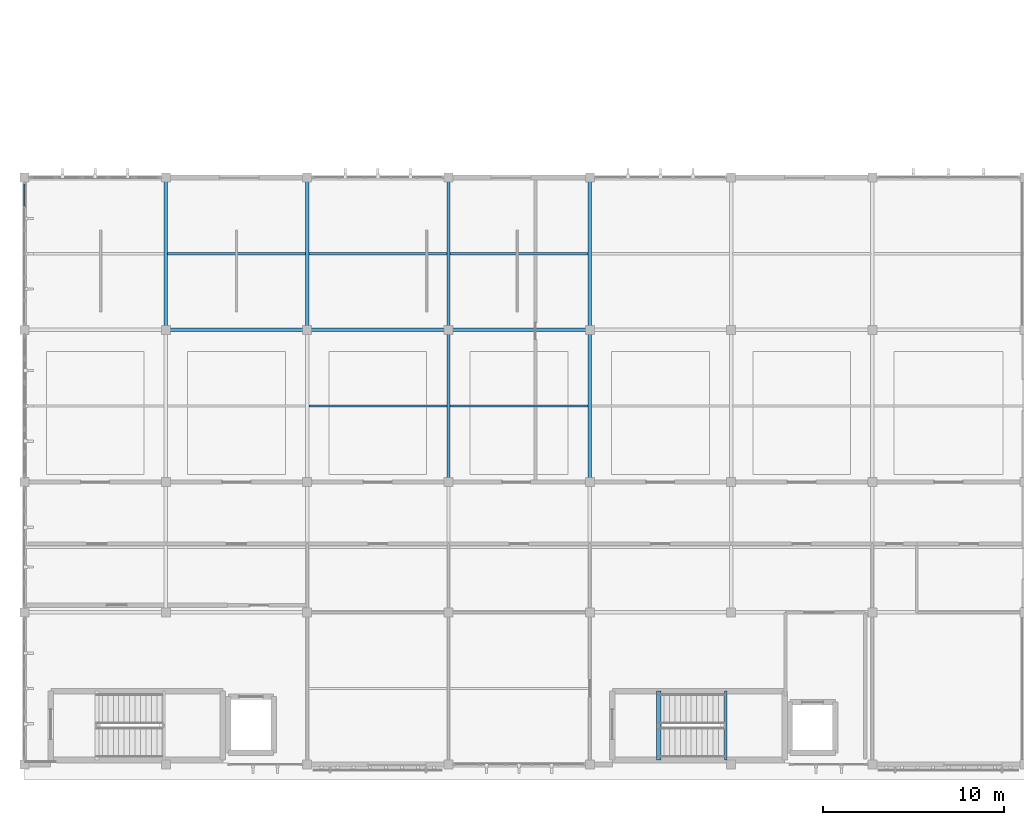
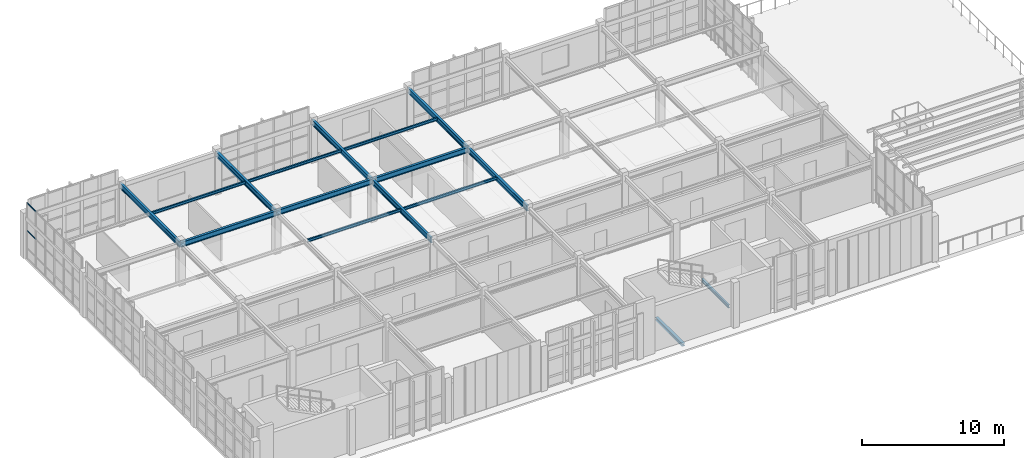
# One storey, part 4 of 20: 16 beams, 2 members, 1 element without a shape of its own.
"""IFC4 building model written with IfcOpenShell, lengths in metres."""

from ifc_helpers import new_model, si_unit, direction, frame, origin, origin_2d, place, context, subcontext, project, spatial, rectangle, i_section, extrude, material, material_profile, profile_set, type_object, element, aggregate, save


model = new_model("IFC4")

# Units and contexts
model_context = context("Model", 3, precision=1e-05, world=origin(), true_north=direction((0.0, 1.0)))
body_context = subcontext(model_context, "Body", "Model", "MODEL_VIEW")
ifc_project = project(units=[si_unit("LENGTHUNIT", "METRE"), si_unit("AREAUNIT", "SQUARE_METRE"), si_unit("VOLUMEUNIT", "CUBIC_METRE"), si_unit("PLANEANGLEUNIT", "RADIAN"), si_unit("MASSUNIT", "GRAM", prefix="KILO")], contexts=[model_context])

# Site, building, storey
site_placement = place(None, origin())
site = spatial("IfcSite", under=ifc_project, at=site_placement, CompositionType="ELEMENT")
building_placement = place(site_placement, origin())
building = spatial("IfcBuilding", under=site, at=building_placement, Name="Tizgana Railside Sports Hall", CompositionType="ELEMENT")
storey_placement = place(building_placement, frame((0.0, 0.0, 19.800048828125)))
storey = spatial("IfcBuildingStorey", under=building, at=storey_placement, Name="L04", CompositionType="ELEMENT", Elevation=19.800048828125)

# Beams
ifc_material_1 = material(Name="Steel S355J2", Category="steel")
ifc_material_profile_1 = material_profile(ifc_material_1, i_section(OverallWidth=0.1298828125, OverallDepth=0.27001953125, WebThickness=0.006591796875, FlangeThickness=0.01025390625, FilletRadius=0.014892578125, at=origin_2d()), Name="IPE 270")
ifc_profile_set_1 = profile_set([ifc_material_profile_1], Name="Steel S355J2")
beam_type_1 = type_object("IfcBeamType", Name="Stair Mid-Landing Header IPE 270", PredefinedType="JOIST", material=ifc_profile_set_1)
beam_1_placement = place(storey_placement, frame((46.5, 0.25, 1.613037109375), z_axis=(0.0, 1.0, 0.0), x_axis=(-1.0, 0.0, 0.0)))
element("IfcBeam", 1, at=beam_1_placement, inside=storey, type_object=beam_type_1, Name="L04 C2 Mid Header 1", PredefinedType="JOIST", context=body_context, shape_type="SweptSolid", body=[
    extrude(i_section(OverallWidth=0.1298828125, OverallDepth=0.27001953125, WebThickness=0.006591796875, FlangeThickness=0.01025390625, FilletRadius=0.014892578125, at=origin_2d()), origin(), (0.0, 0.0, 1.0), 3.800048828125),
])
ifc_material_profile_2 = material_profile(ifc_material_1, i_section(OverallWidth=0.239990234375, OverallDepth=0.239990234375, WebThickness=0.010009765625, FlangeThickness=0.01708984375, FilletRadius=0.02099609375, at=origin_2d()), Name="HEB 240")
ifc_profile_set_2 = profile_set([ifc_material_profile_2], Name="Steel S355J2")
beam_type_2 = type_object("IfcBeamType", Name="Steel Beam HEB 240", PredefinedType="BEAM", material=ifc_profile_set_2)
beam_2_placement = place(storey_placement, frame((42.800048828125, 0.25, -0.385986328125), z_axis=(0.0, 1.0, 0.0), x_axis=(-1.0, 0.0, 0.0)))
element("IfcBeam", 2, at=beam_2_placement, inside=storey, type_object=beam_type_2, Name="L04 C2 Landing Header", PredefinedType="BEAM", context=body_context, shape_type="SweptSolid", body=[
    extrude(i_section(OverallWidth=0.239990234375, OverallDepth=0.239990234375, WebThickness=0.010009765625, FlangeThickness=0.01708984375, FilletRadius=0.02099609375, at=origin_2d()), origin(), (0.0, 0.0, 1.0), 3.800048828125),
])
ifc_material_profile_3 = material_profile(ifc_material_1, i_section(OverallWidth=0.18994140625, OverallDepth=0.449951171875, WebThickness=0.009521484375, FlangeThickness=0.0146484375, FilletRadius=0.02099609375, at=origin_2d()), Name="IPE 450")
ifc_profile_set_3 = profile_set([ifc_material_profile_3], Name="Steel S355J2")
beam_type_3 = type_object("IfcBeamType", Name="Steel Beam IPE 450", PredefinedType="BEAM", material=ifc_profile_set_3)
for number, where, z_axis, x_axis, name in (
    (3, (15.60009765625, 24.0, 3.370849609375), (0.0, 1.0, 0.0), (-1.0, 0.0, 0.0), "L04 BEM-0791"),
    (4, (23.39990234375, 24.0, 3.370849609375), (0.0, 1.0, 0.0), (-1.0, 0.0, 0.0), "L04 BEM-0795"),
    (5, (31.199951171875, 15.60009765625, 3.370849609375), (0.0, 1.0, 0.0), (-1.0, 0.0, 0.0), "L04 BEM-0798"),
    (6, (31.199951171875, 24.0, 3.370849609375), (0.0, 1.0, 0.0), (-1.0, 0.0, 0.0), "L04 BEM-0799"),
    (7, (39.0, 15.60009765625, 3.370849609375), (0.0, 1.0, 0.0), (-1.0, 0.0, 0.0), "L04 BEM-0802"),
    (8, (39.0, 24.0, 3.370849609375), (0.0, 1.0, 0.0), (-1.0, 0.0, 0.0), "L04 BEM-0803"),
):
    element("IfcBeam", number, at=place(storey_placement, frame(where, z_axis=z_axis, x_axis=x_axis)), inside=storey, type_object=beam_type_3, Name=name, PredefinedType="BEAM", context=body_context, shape_type="SweptSolid", body=[
        extrude(i_section(OverallWidth=0.18994140625, OverallDepth=0.449951171875, WebThickness=0.009521484375, FlangeThickness=0.0146484375, FilletRadius=0.02099609375, at=origin_2d()), origin(), (0.0, 0.0, 1.0), 8.39990234375),
    ])
beam_3_placement = place(storey_placement, frame((15.60009765625, 24.0, 3.370849609375), z_axis=(1.0, 0.0, 0.0), x_axis=(0.0, 1.0, 0.0)))
element("IfcBeam", 9, at=beam_3_placement, inside=storey, type_object=beam_type_3, Name="L04 BEM-0823", PredefinedType="BEAM", context=body_context, shape_type="SweptSolid", body=[
    extrude(i_section(OverallWidth=0.18994140625, OverallDepth=0.449951171875, WebThickness=0.009521484375, FlangeThickness=0.0146484375, FilletRadius=0.02099609375, at=origin_2d()), origin(), (0.0, 0.0, 1.0), 7.7998046875),
])
for number, where, z_axis, x_axis, name in (
    (10, (23.39990234375, 24.0, 3.370849609375), (1.0, 0.0, 0.0), (0.0, 1.0, 0.0), "L04 BEM-0831"),
    (11, (31.199951171875, 24.0, 3.370849609375), (1.0, 0.0, 0.0), (0.0, 1.0, 0.0), "L04 BEM-0840"),
):
    element("IfcBeam", number, at=place(storey_placement, frame(where, z_axis=z_axis, x_axis=x_axis)), inside=storey, type_object=beam_type_3, Name=name, PredefinedType="BEAM", context=body_context, shape_type="SweptSolid", body=[
        extrude(i_section(OverallWidth=0.18994140625, OverallDepth=0.449951171875, WebThickness=0.009521484375, FlangeThickness=0.0146484375, FilletRadius=0.02099609375, at=origin_2d()), origin(), (0.0, 0.0, 1.0), 7.800048828125),
    ])
ifc_material_profile_4 = material_profile(ifc_material_1, i_section(OverallWidth=0.1201171875, OverallDepth=0.239990234375, WebThickness=0.006103515625, FlangeThickness=0.009765625, FilletRadius=0.014892578125, at=origin_2d()), Name="IPE 240")
ifc_profile_set_4 = profile_set([ifc_material_profile_4], Name="Steel S355J2")
beam_type_4 = type_object("IfcBeamType", Name="Steel Joist IPE 240", PredefinedType="JOIST", material=ifc_profile_set_4)
for number, where, z_axis, x_axis, name in (
    (12, (15.68994140625, 28.199951171875, 3.475830078125), (1.0, 0.0, 0.0), (0.0, 1.0, 0.0), "L04 BEM-0827"),
    (13, (23.489990234375, 19.800048828125, 3.475830078125), (1.0, 0.0, 0.0), (0.0, 1.0, 0.0), "L04 BEM-0835"),
    (14, (23.489990234375, 28.199951171875, 3.475830078125), (1.0, 0.0, 0.0), (0.0, 1.0, 0.0), "L04 BEM-0836"),
):
    element("IfcBeam", number, at=place(storey_placement, frame(where, z_axis=z_axis, x_axis=x_axis)), inside=storey, type_object=beam_type_4, Name=name, PredefinedType="JOIST", context=body_context, shape_type="SweptSolid", body=[
        extrude(i_section(OverallWidth=0.1201171875, OverallDepth=0.239990234375, WebThickness=0.006103515625, FlangeThickness=0.009765625, FilletRadius=0.014892578125, at=origin_2d()), origin(), (0.0, 0.0, 1.0), 7.6201171875),
    ])
for number, where, z_axis, x_axis, name in (
    (15, (31.2900390625, 19.800048828125, 3.475830078125), (1.0, 0.0, 0.0), (0.0, 1.0, 0.0), "L04 BEM-0844"),
    (16, (31.2900390625, 28.199951171875, 3.475830078125), (1.0, 0.0, 0.0), (0.0, 1.0, 0.0), "L04 BEM-0845"),
):
    element("IfcBeam", number, at=place(storey_placement, frame(where, z_axis=z_axis, x_axis=x_axis)), inside=storey, type_object=beam_type_4, Name=name, PredefinedType="JOIST", context=body_context, shape_type="SweptSolid", body=[
        extrude(i_section(OverallWidth=0.1201171875, OverallDepth=0.239990234375, WebThickness=0.006103515625, FlangeThickness=0.009765625, FilletRadius=0.014892578125, at=origin_2d()), origin(), (0.0, 0.0, 1.0), 7.619873046875),
    ])

# Curtain wall, members
ifc_material_2 = material(Name="Anodised aluminium and glass", Category="aluminium")
curtain_wall_type = type_object("IfcCurtainWallType", Name="Unitised Curtain Wall Concourse 1500", PredefinedType="NOTDEFINED", material=ifc_material_2)
curtain_wall_placement = place(storey_placement, origin())
curtain_wall = element("IfcCurtainWall", 17, at=curtain_wall_placement, inside=storey, type_object=curtain_wall_type, Name="L04 Curtain Wall CW-0144", PredefinedType="NOTDEFINED")
ifc_material_3 = material(Name="Anodised aluminium", Category="aluminium")
ifc_material_profile_5 = material_profile(ifc_material_3, rectangle(XDim=0.06005859375, YDim=0.110107421875, at=origin_2d()), Name="Transom 60x110")
ifc_profile_set_5 = profile_set([ifc_material_profile_5], Name="Anodised aluminium")
member_type = type_object("IfcMemberType", Name="Transom 60x110", PredefinedType="USERDEFINED", material=ifc_profile_set_5)
member_1_placement = place(storey_placement, frame((7.800048828125, 32.034912109375, 2.39990234375), z_axis=(0.0, -1.0, 0.0), x_axis=(1.0, 0.0, 0.0)))
member_1 = element("IfcMember", 18, at=member_1_placement, type_object=member_type, Name="CW-01 transom 1.3", ObjectType="TRANSOM", PredefinedType="USERDEFINED", context=body_context, shape_type="SweptSolid", body=[
    extrude(rectangle(XDim=0.06005859375, YDim=0.110107421875, at=origin_2d()), origin(), (0.0, 0.0, 1.0), 1.208251953125),
])
member_2_placement = place(storey_placement, frame((7.800048828125, 32.034912109375, 4.77001953125), z_axis=(0.0, -1.0, 0.0), x_axis=(1.0, 0.0, 0.0)))
member_2 = element("IfcMember", 19, at=member_2_placement, type_object=member_type, Name="CW-01 transom 1.4", ObjectType="TRANSOM", PredefinedType="USERDEFINED", context=body_context, shape_type="SweptSolid", body=[
    extrude(rectangle(XDim=0.06005859375, YDim=0.110107421875, at=origin_2d()), origin(), (0.0, 0.0, 1.0), 1.208251953125),
])
aggregate(curtain_wall, [member_1, member_2])

save(model, "model.ifc")
